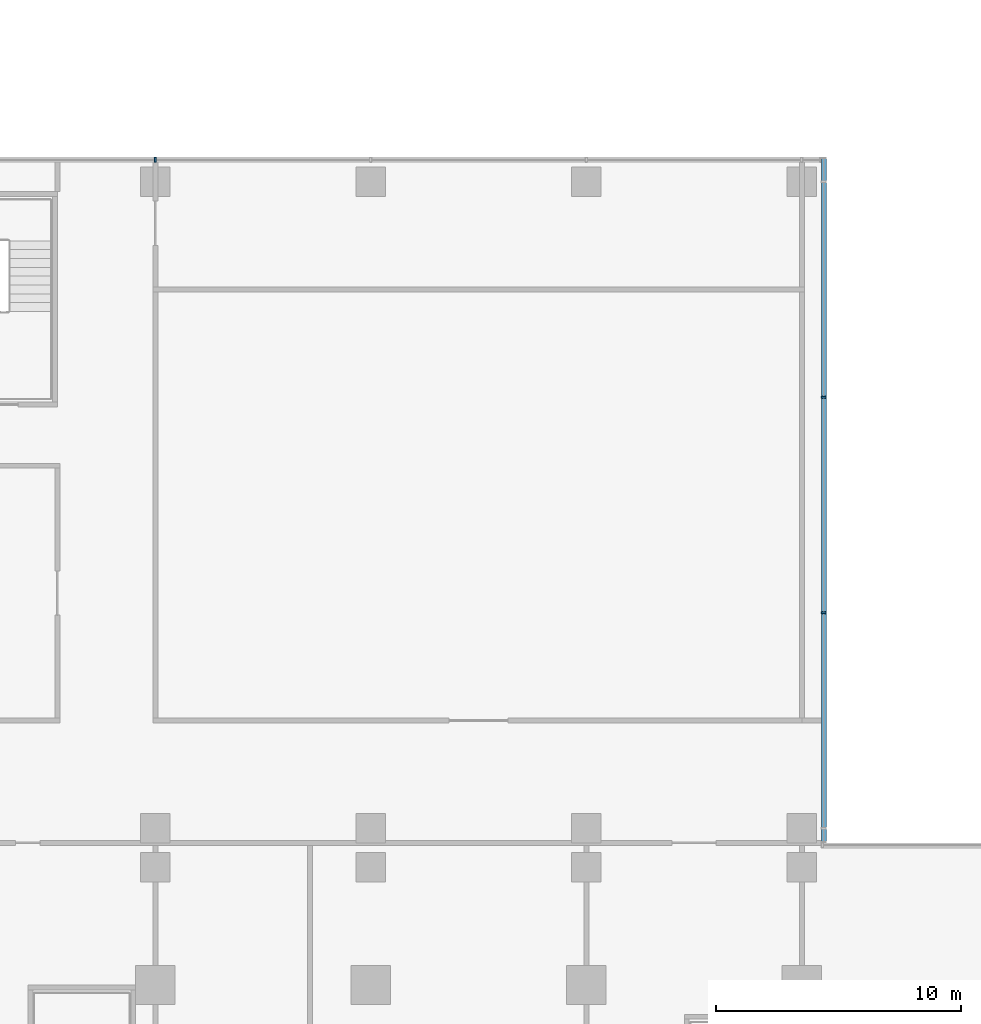
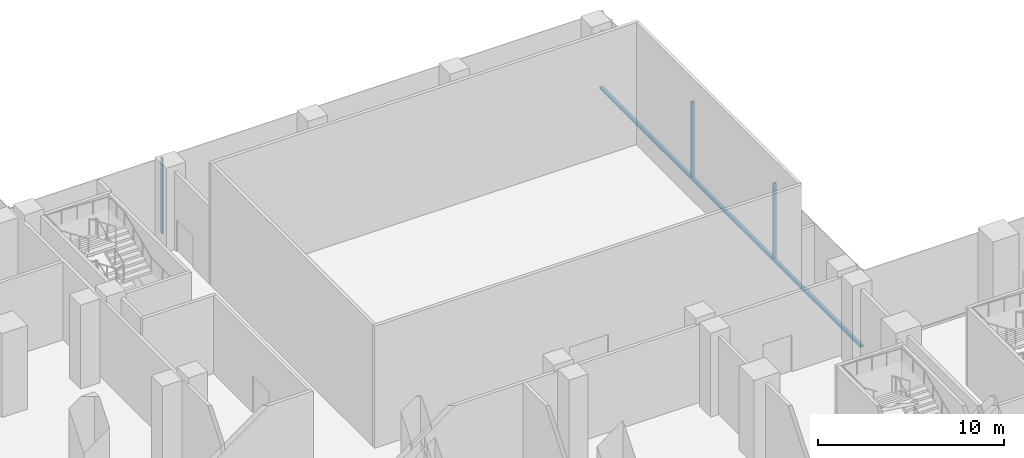
# One storey, part 8 of 30: 4 members, 2 elements without a shape of their own.
"""IFC4 building model written with IfcOpenShell, lengths in metres."""

from ifc_helpers import new_model, si_unit, direction, frame, origin, origin_2d, place, context, subcontext, project, spatial, rectangle, extrude, source, transform, mapped, material, material_profile, profile_set, type_object, element, aggregate, save


model = new_model("IFC4")

# Units and contexts
model_context = context("Model", 3, precision=1e-05, world=origin(), true_north=direction((0.0, 1.0)))
body_context = subcontext(model_context, "Body", "Model", "MODEL_VIEW")
ifc_project = project(units=[si_unit("LENGTHUNIT", "METRE"), si_unit("AREAUNIT", "SQUARE_METRE"), si_unit("VOLUMEUNIT", "CUBIC_METRE"), si_unit("PLANEANGLEUNIT", "RADIAN"), si_unit("MASSUNIT", "GRAM", prefix="KILO")], contexts=[model_context])

# Site, building, storey
site_placement = place(None, origin())
site = spatial("IfcSite", under=ifc_project, at=site_placement, CompositionType="ELEMENT")
building_placement = place(site_placement, origin())
building = spatial("IfcBuilding", under=site, at=building_placement, Name="Kemantara Hotel Tower", CompositionType="ELEMENT")
storey_placement = place(building_placement, frame((0.0, 0.0, 18.0)))
storey = spatial("IfcBuildingStorey", under=building, at=storey_placement, Name="L03", CompositionType="ELEMENT", Elevation=18.0)

# Curtain wall, members
ifc_material_1 = material(Name="Laminated tinted insulated glass 44 mm", Category="glass")
curtain_wall_type = type_object("IfcCurtainWallType", Name="PODIUM GLASS CURTAIN WALL", PredefinedType="USERDEFINED", material=ifc_material_1)
curtain_wall_1_placement = place(storey_placement, origin())
curtain_wall_1 = element("IfcCurtainWall", 1, at=curtain_wall_1_placement, inside=storey, type_object=curtain_wall_type, Name="CW1 L03 POD-R08-1", ObjectType="PODIUM GLASS CURTAIN WALL", PredefinedType="USERDEFINED")
ifc_material_2 = material(Name="Aluminium 6063-T6 bronze anodised", Category="aluminium")
ifc_material_profile_1 = material_profile(ifc_material_2, rectangle(XDim=0.199951171875, YDim=0.14990234375, at=origin_2d()), Name="PODIUM GLASS CURTAIN WALL TRANSOM")
ifc_profile_set_1 = profile_set([ifc_material_profile_1], Name="Aluminium 6063-T6 bronze anodised")
member_type_1 = type_object("IfcMemberType", Name="PODIUM GLASS CURTAIN WALL TRANSOM", PredefinedType="USERDEFINED", material=ifc_profile_set_1)
member_1_placement = place(storey_placement, frame((63.5, 26.800048828125, 0.074951171875), z_axis=(0.0, 1.0, 0.0), x_axis=(-1.0, 0.0, 0.0)))
member_1 = element("IfcMember", 2, at=member_1_placement, type_object=member_type_1, Name="CW1 sill transom POD-R08-1", ObjectType="TRANSOM", PredefinedType="USERDEFINED", context=body_context, shape_type="SweptSolid", body=[
    extrude(rectangle(XDim=0.199951171875, YDim=0.14990234375, at=origin_2d()), origin(), (0.0, 0.0, 1.0), 28.0),
])
ifc_material_profile_2 = material_profile(ifc_material_2, rectangle(XDim=0.199951171875, YDim=0.074951171875, at=origin_2d()), Name="PODIUM GLASS CURTAIN WALL MULLION")
ifc_profile_set_2 = profile_set([ifc_material_profile_2], Name="Aluminium 6063-T6 bronze anodised")
member_type_2 = type_object("IfcMemberType", Name="PODIUM GLASS CURTAIN WALL MULLION", PredefinedType="MULLION", material=ifc_profile_set_2)
shared_shape = source(origin(), body_context, "Body", "SweptSolid", [
    extrude(rectangle(XDim=0.199951171875, YDim=0.074951171875, at=origin_2d()), origin(), (0.0, 0.0, 1.0), 4.9501953125),
])
member_2_placement = place(storey_placement, frame((63.5, 36.199951171875, 0.14990234375), z_axis=(0.0, 0.0, 1.0), x_axis=(-1.0, 0.0, 0.0)))
member_2 = element("IfcMember", 3, at=member_2_placement, type_object=member_type_2, Name="CW1 mullion POD-R08-1.3", PredefinedType="MULLION", context=body_context, shape_type="MappedRepresentation", body=[
    mapped(shared_shape, transform((0.0, 0.0, 0.0))),
])
member_3_placement = place(storey_placement, frame((63.5, 45.0, 0.14990234375), z_axis=(0.0, 0.0, 1.0), x_axis=(-1.0, 0.0, 0.0)))
member_3 = element("IfcMember", 4, at=member_3_placement, type_object=member_type_2, Name="CW1 mullion POD-R08-1.4", PredefinedType="MULLION", context=body_context, shape_type="MappedRepresentation", body=[
    mapped(shared_shape, transform((0.0, 0.0, 0.0))),
])
aggregate(curtain_wall_1, [member_1, member_2, member_3])

# Curtain wall, member
curtain_wall_2_placement = place(storey_placement, origin())
curtain_wall_2 = element("IfcCurtainWall", 5, at=curtain_wall_2_placement, inside=storey, type_object=curtain_wall_type, Name="CW1 L03 POD-R09-1", ObjectType="PODIUM GLASS CURTAIN WALL", PredefinedType="USERDEFINED")
member_4_placement = place(storey_placement, frame((36.199951171875, 54.699951171875, 0.14990234375), z_axis=(0.0, 0.0, 1.0), x_axis=(0.0, -1.0, 0.0)))
member_4 = element("IfcMember", 6, at=member_4_placement, type_object=member_type_2, Name="CW1 mullion POD-R09-1.5", PredefinedType="MULLION", context=body_context, shape_type="MappedRepresentation", body=[
    mapped(shared_shape, transform((0.0, 0.0, 0.0))),
])
aggregate(curtain_wall_2, [member_4])

save(model, "model.ifc")
